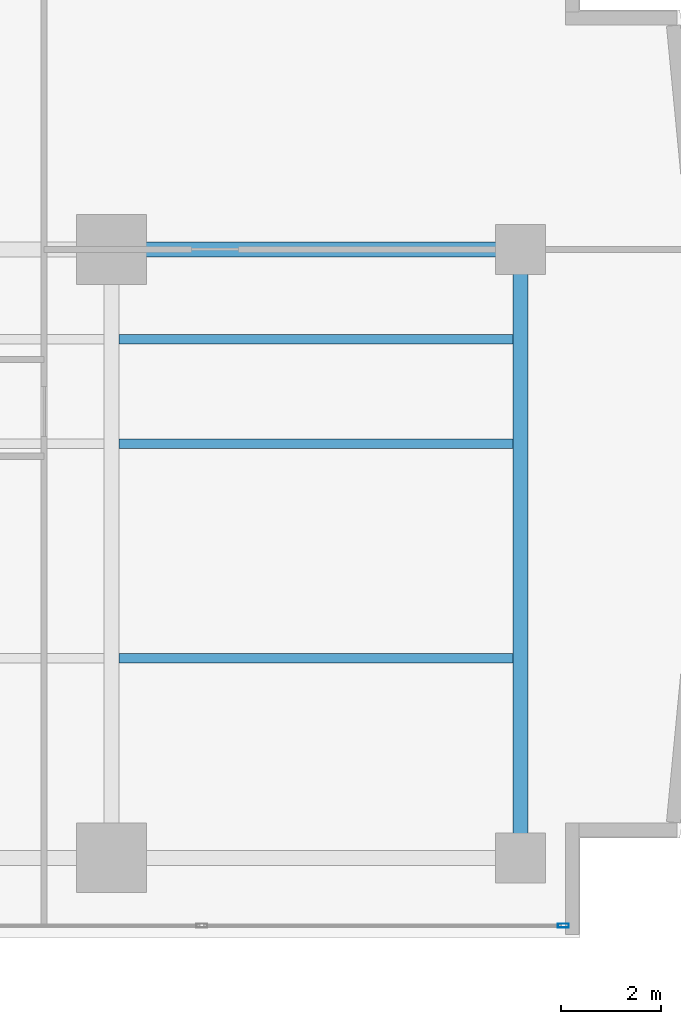
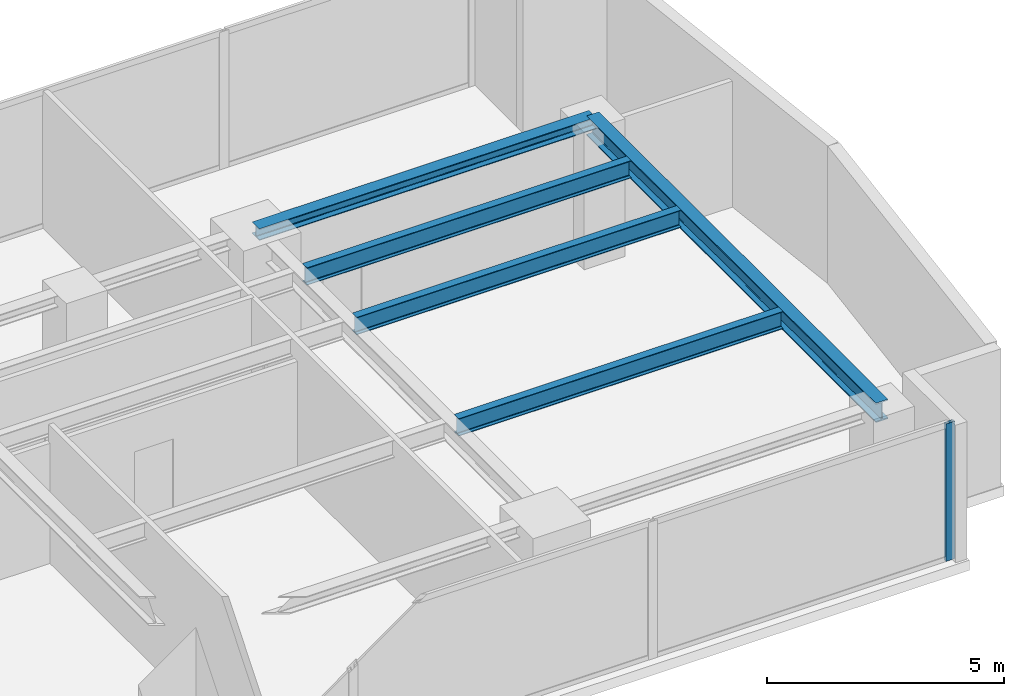
# One storey, part 14 of 28: 5 beams, 1 member, 1 element without a shape of its own.
"""IFC4 building model written with IfcOpenShell, lengths in metres."""

from ifc_helpers import new_model, si_unit, direction, frame, origin, origin_with_axes, origin_2d, place, context, subcontext, project, spatial, hollow_rectangle, i_section, extrude, source, transform, mapped, material, layer, layer_set, material_profile, profile_set, type_object, element, aggregate, save


model = new_model("IFC4")

# Units and contexts
model_context = context("Model", 3, precision=1e-05, world=origin(), true_north=direction((0.0, 1.0)))
body_context = subcontext(model_context, "Body", "Model", "MODEL_VIEW")
ifc_project = project(units=[si_unit("LENGTHUNIT", "METRE"), si_unit("AREAUNIT", "SQUARE_METRE"), si_unit("VOLUMEUNIT", "CUBIC_METRE"), si_unit("PLANEANGLEUNIT", "RADIAN"), si_unit("MASSUNIT", "GRAM", prefix="KILO")], contexts=[model_context])

# Site, building, storey
site_placement = place(None, origin())
site = spatial("IfcSite", under=ifc_project, at=site_placement, CompositionType="ELEMENT")
building_placement = place(site_placement, origin())
building = spatial("IfcBuilding", under=site, at=building_placement, Name="Kolvaren Waterfront Exchange", CompositionType="ELEMENT")
storey_placement = place(building_placement, frame((0.0, 0.0, 114.5)))
storey = spatial("IfcBuildingStorey", under=building, at=storey_placement, Name="L29", CompositionType="ELEMENT", Elevation=114.5)

# Beams
ifc_material_1 = material(Name="Steel S355", Category="steel")
ifc_material_profile_1 = material_profile(ifc_material_1, i_section(OverallWidth=0.300048828125, OverallDepth=0.300048828125, WebThickness=0.010986328125, FlangeThickness=0.01904296875, FilletRadius=0.027099609375, at=origin_2d()), Name="HEB300")
ifc_profile_set_1 = profile_set([ifc_material_profile_1], Name="Steel S355")
beam_type_1 = type_object("IfcBeamType", Name="STR-BM-HEB300", PredefinedType="SPANDREL", material=ifc_profile_set_1)
beam_1_placement = place(storey_placement, frame((45.60009765625, 17.39990234375, 3.389892578125), z_axis=(1.0, 0.0, 0.0), x_axis=(0.0, 1.0, 0.0)))
element("IfcBeam", 1, at=beam_1_placement, inside=storey, type_object=beam_type_1, Name="L29 east-arm spandrel N4", PredefinedType="SPANDREL", context=body_context, shape_type="SweptSolid", body=[
    extrude(i_section(OverallWidth=0.300048828125, OverallDepth=0.300048828125, WebThickness=0.010986328125, FlangeThickness=0.01904296875, FilletRadius=0.027099609375, at=origin_2d()), origin(), (0.0, 0.0, 1.0), 8.199951171875),
])
ifc_material_profile_2 = material_profile(ifc_material_1, i_section(OverallWidth=0.300048828125, OverallDepth=0.5, WebThickness=0.014404296875, FlangeThickness=0.028076171875, FilletRadius=0.027099609375, at=origin_2d()), Name="HEB500")
ifc_profile_set_2 = profile_set([ifc_material_profile_2], Name="Steel S355")
beam_type_2 = type_object("IfcBeamType", Name="STR-BM-HEB500", PredefinedType="BEAM", material=ifc_profile_set_2)
beam_2_placement = place(storey_placement, frame((53.800048828125, 5.199951171875, 3.2900390625), z_axis=(0.0, 1.0, 0.0), x_axis=(-1.0, 0.0, 0.0)))
element("IfcBeam", 2, at=beam_2_placement, inside=storey, type_object=beam_type_2, Name="L29 east-arm transverse girder X53", PredefinedType="BEAM", context=body_context, shape_type="SweptSolid", body=[
    extrude(i_section(OverallWidth=0.300048828125, OverallDepth=0.5, WebThickness=0.014404296875, FlangeThickness=0.028076171875, FilletRadius=0.027099609375, at=origin_2d()), origin(), (0.0, 0.0, 1.0), 12.199951171875),
])
ifc_material_profile_3 = material_profile(ifc_material_1, i_section(OverallWidth=0.18994140625, OverallDepth=0.449951171875, WebThickness=0.009521484375, FlangeThickness=0.0146484375, FilletRadius=0.02099609375, at=origin_2d()), Name="IPE450")
ifc_profile_set_3 = profile_set([ifc_material_profile_3], Name="Steel S355")
beam_type_3 = type_object("IfcBeamType", Name="STR-BM-IPE450", PredefinedType="JOIST", material=ifc_profile_set_3)
for number, where, z_axis, x_axis, name in (
    (3, (45.751953125, 13.5, 3.31494140625), (1.0, 0.0, 0.0), (0.0, 1.0, 0.0), "L29 east-arm composite joist 4A"),
    (4, (45.751953125, 15.60009765625, 3.31494140625), (1.0, 0.0, 0.0), (0.0, 1.0, 0.0), "L29 east-arm composite joist 4C"),
    (5, (45.751953125, 9.199951171875, 3.31494140625), (1.0, 0.0, 0.0), (0.0, 1.0, 0.0), "L29 east-arm composite joist 4B"),
):
    element("IfcBeam", number, at=place(storey_placement, frame(where, z_axis=z_axis, x_axis=x_axis)), inside=storey, type_object=beam_type_3, Name=name, PredefinedType="JOIST", context=body_context, shape_type="SweptSolid", body=[
        extrude(i_section(OverallWidth=0.18994140625, OverallDepth=0.449951171875, WebThickness=0.009521484375, FlangeThickness=0.0146484375, FilletRadius=0.02099609375, at=origin_2d()), origin(), (0.0, 0.0, 1.0), 7.89599609375),
    ])

# Curtain wall, member
ifc_material_2 = material(Name="Anodised bronze aluminium 6063-T6", Category="aluminium")
ifc_layer = layer(ifc_material_2, 0.219970703125, Name="Anodised bronze aluminium 6063-T6")
ifc_layer_set = layer_set([ifc_layer], Name="Anodised bronze aluminium 6063-T6")
curtain_wall_type = type_object("IfcCurtainWallType", Name="ARC-CW-SYS1", PredefinedType="USERDEFINED", material=ifc_layer_set)
curtain_wall_placement = place(storey_placement, origin())
curtain_wall = element("IfcCurtainWall", 6, at=curtain_wall_placement, inside=storey, type_object=curtain_wall_type, Name="L29 stick curtain wall CW1 (CW-L29-S)", ObjectType="STICK CURTAIN WALL", PredefinedType="USERDEFINED")
ifc_material_3 = material(Name="Anodised aluminium 6063-T6", Category="aluminium")
ifc_material_profile_4 = material_profile(ifc_material_3, hollow_rectangle(XDim=0.080078125, YDim=0.219970703125, WallThickness=0.0048828125, at=origin_2d()), Name="ALU-MUL-220x80x5")
ifc_profile_set_4 = profile_set([ifc_material_profile_4], Name="Anodised aluminium 6063-T6")
member_type = type_object("IfcMemberType", Name="ARC-CWM-220", PredefinedType="MULLION", material=ifc_profile_set_4)
shared_shape = source(origin_with_axes(), body_context, "Body", "SweptSolid", [
    extrude(hollow_rectangle(XDim=0.080078125, YDim=0.219970703125, WallThickness=0.0048828125, at=origin_2d()), origin(), (0.0, 0.0, 1.0), 3.5400390625),
])
member_placement = place(storey_placement, frame((54.659912109375, 3.840087890625, 0.0), z_axis=(0.0, 0.0, 1.0), x_axis=(0.0, 1.0, 0.0)))
member = element("IfcMember", 7, at=member_placement, type_object=member_type, Name="CW1 mullion 8", PredefinedType="MULLION", context=body_context, shape_type="MappedRepresentation", body=[
    mapped(shared_shape, transform((0.0, 0.0, 0.0), x_axis=(1.0, 0.0, 0.0), y_axis=(0.0, 1.0, 0.0), z_axis=(0.0, 0.0, 1.0), scale=1.0)),
])
aggregate(curtain_wall, [member])

save(model, "model.ifc")
